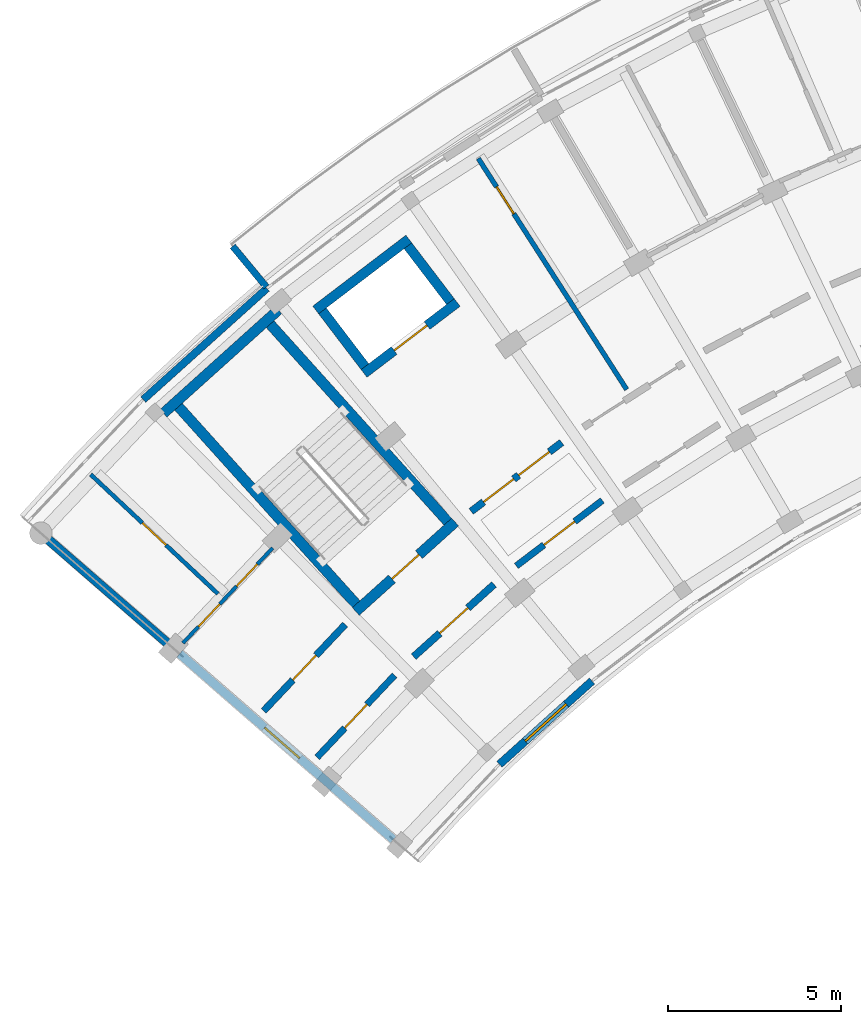
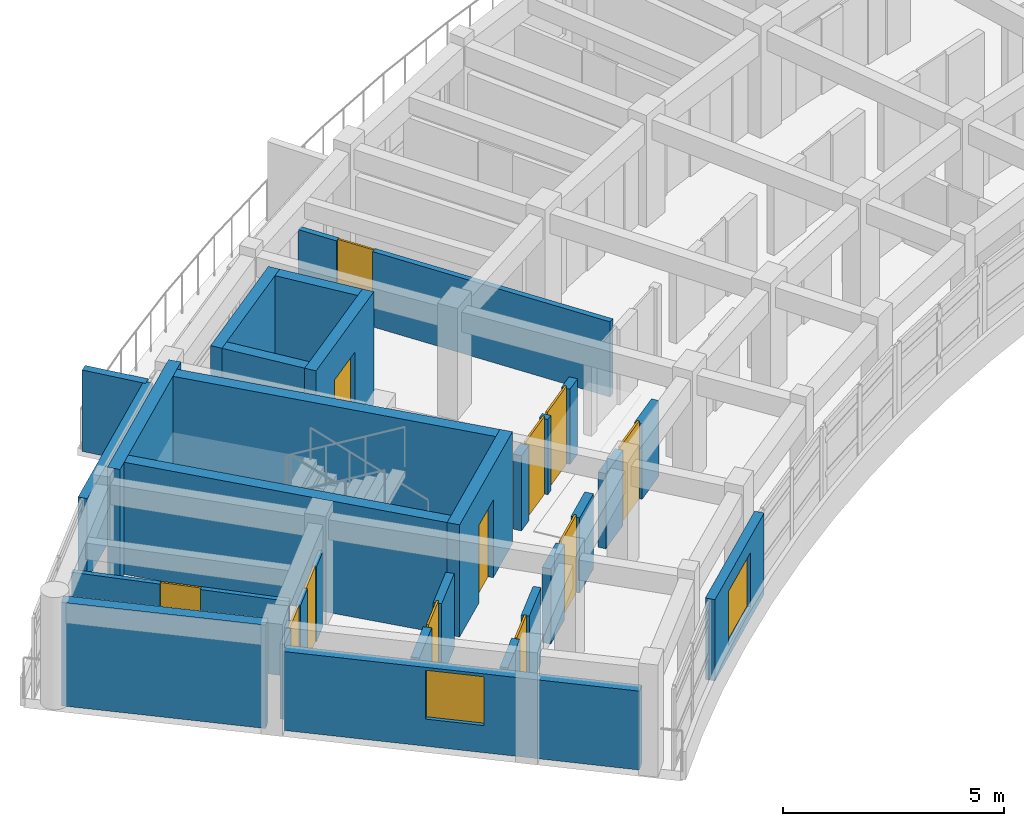
# One storey, part 24 of 40: 21 walls, 12 doors, 2 windows, 14 openings.
"""IFC4 building model written with IfcOpenShell, lengths in metres."""

from ifc_helpers import new_model, si_unit, direction, frame, frame_2d, origin, place, context, subcontext, project, spatial, rectangle, extrude, material, layer, layer_set, type_object, element, fill, save


model = new_model("IFC4")

# Units and contexts
model_context = context("Model", 3, precision=1e-05, world=origin(), true_north=direction((0.0, 1.0)))
body_context = subcontext(model_context, "Body", "Model", "MODEL_VIEW")
ifc_project = project(units=[si_unit("LENGTHUNIT", "METRE"), si_unit("AREAUNIT", "SQUARE_METRE"), si_unit("VOLUMEUNIT", "CUBIC_METRE"), si_unit("PLANEANGLEUNIT", "RADIAN"), si_unit("MASSUNIT", "GRAM", prefix="KILO")], contexts=[model_context])

# Site, building, storey
site_placement = place(None, origin())
site = spatial("IfcSite", under=ifc_project, at=site_placement, CompositionType="ELEMENT")
building_placement = place(site_placement, origin())
building = spatial("IfcBuilding", under=site, at=building_placement, Name="Zimvara Arc Housing Community", CompositionType="ELEMENT")
storey_placement = place(building_placement, frame((0.0, 0.0, 32.89990234375)))
storey = spatial("IfcBuildingStorey", under=building, at=storey_placement, Name="L10", CompositionType="ELEMENT", Elevation=32.89990234375)

# Wall, opening, window
ifc_material_1 = material(Name="Board-Marked Fair-Faced Concrete C35/45", Category="concrete")
ifc_layer_1 = layer(ifc_material_1, 0.22998046875)
ifc_layer_set_1 = layer_set([ifc_layer_1], Name="Board-Marked Fair-Faced Concrete C35/45")
wall_type_1 = type_object("IfcWallType", Name="EWL-CONC-230", PredefinedType="SOLIDWALL", material=ifc_layer_set_1)
wall_1_placement = place(storey_placement, frame((13.84033203125, 76.436767578125, 0.0), z_axis=(0.0, 0.0, 1.0), x_axis=(0.743385092197, 0.668863666751, 0.0)))
wall_1 = element("IfcWall", 1, at=wall_1_placement, inside=storey, type_object=wall_type_1, Name="ewall:blkA:L10:in:b1", PredefinedType="SOLIDWALL", context=body_context, shape_type="SweptSolid", body=[
    extrude(rectangle(XDim=3.603759765625, YDim=0.22998046875, at=frame_2d((1.8017578125, 0.0))), origin(), (0.0, 0.0, 1.0), 2.25),
])
opening_1_placement = place(wall_1_placement, frame((1.001708984375, 0.0, 0.320068359375)))
opening_1 = element("IfcOpeningElement", 2, at=opening_1_placement, cuts=wall_1, Name="Opening W03", PredefinedType="OPENING", context=body_context, shape_type="SweptSolid", body=[
    extrude(rectangle(XDim=1.60009765625, YDim=1.5, at=frame_2d((0.800048828125, 0.75))), frame((0.0, 0.125, 0.0), z_axis=(0.0, -1.0, 0.0), x_axis=(1.0, 0.0, 0.0)), (0.0, 0.0, 1.0), 0.25),
])
ifc_material_2 = material(Name="Solar Control Low-E Double Glazing", Category="glass")
window_type_1 = type_object("IfcWindowType", Name="WIN-RES-1600x1500", PartitioningType="DOUBLE_PANEL_VERTICAL", PredefinedType="WINDOW", material=ifc_material_2)
window_1_placement = place(opening_1_placement, origin())
window_1 = element("IfcWindow", 3, at=window_1_placement, inside=storey, type_object=window_type_1, Name="win:blkA:L10:in:b1", OverallHeight=1.5, OverallWidth=1.60009765625, PartitioningType="DOUBLE_PANEL_VERTICAL", PredefinedType="WINDOW", context=body_context, shape_type="SweptSolid", body=[
    extrude(rectangle(XDim=1.60009765625, YDim=1.5, at=frame_2d((0.800048828125, 0.75))), frame((0.0, 0.030029296875, 0.0), z_axis=(0.0, -1.0, 0.0), x_axis=(1.0, 0.0, 0.0)), (0.0, 0.0, 1.0), 0.06005859375),
])
fill(opening_1, window_1)

ifc_material_3 = material(Name="Board-Marked Fair-Faced Concrete C35/45", Category="concrete")
ifc_layer_2 = layer(ifc_material_3, 0.2548828125)
ifc_layer_set_2 = layer_set([ifc_layer_2], Name="Board-Marked Fair-Faced Concrete C35/45")
wall_type_2 = type_object("IfcWallType", Name="EWL-CONC-255", PredefinedType="SOLIDWALL", material=ifc_layer_set_2)
wall_2_placement = place(storey_placement, frame((10.766357421875, 74.2587890625, 0.0), z_axis=(0.0, 0.0, 1.0), x_axis=(-0.754717680958, 0.656049710044, 0.0)))
wall_2 = element("IfcWall", 4, at=wall_2_placement, inside=storey, type_object=wall_type_2, Name="ewall:blkA:L10:g0", PredefinedType="SOLIDWALL", context=body_context, shape_type="SweptSolid", body=[
    extrude(rectangle(XDim=8.199951171875, YDim=0.2548828125, at=frame_2d((4.10009765625, 0.0))), origin(), (0.0, 0.0, 1.0), 2.18017578125),
])
opening_2_placement = place(wall_2_placement, frame((3.590087890625, 0.0, 0.75)))
opening_2 = element("IfcOpeningElement", 5, at=opening_2_placement, cuts=wall_2, Name="Opening W12", PredefinedType="OPENING", context=body_context, shape_type="SweptSolid", body=[
    extrude(rectangle(XDim=1.35009765625, YDim=1.35009765625, at=frame_2d((0.675048828125, 0.675048828125))), frame((0.0, 0.137451171875, 0.0), z_axis=(0.0, -1.0, 0.0), x_axis=(1.0, 0.0, 0.0)), (0.0, 0.0, 1.0), 0.27490234375),
])
ifc_material_4 = material(Name="Solar Control Low-E Double Glazing", Category="glass")
window_type_2 = type_object("IfcWindowType", Name="WIN-RES-1350x1350", PartitioningType="DOUBLE_PANEL_VERTICAL", PredefinedType="WINDOW", material=ifc_material_4)
window_2_placement = place(opening_2_placement, origin())
window_2 = element("IfcWindow", 6, at=window_2_placement, inside=storey, type_object=window_type_2, Name="win:blkA:L10:g0:w", OverallHeight=1.35009765625, OverallWidth=1.35009765625, PartitioningType="DOUBLE_PANEL_VERTICAL", PredefinedType="WINDOW", context=body_context, shape_type="SweptSolid", body=[
    extrude(rectangle(XDim=1.35009765625, YDim=1.35009765625, at=frame_2d((0.675048828125, 0.675048828125))), frame((0.0, 0.030029296875, 0.0), z_axis=(0.0, -1.0, 0.0), x_axis=(1.0, 0.0, 0.0)), (0.0, 0.0, 1.0), 0.06005859375),
])
fill(opening_2, window_2)

# Walls
ifc_material_5 = material(Name="Board-Marked Fair-Faced Concrete C35/45", Category="concrete")
ifc_layer_3 = layer(ifc_material_5, 0.195068359375)
ifc_layer_set_3 = layer_set([ifc_layer_3], Name="Board-Marked Fair-Faced Concrete C35/45")
wall_type_3 = type_object("IfcWallType", Name="EWL-PARA-195", PredefinedType="PARAPET", material=ifc_layer_set_3)
wall_3_placement = place(storey_placement, frame((7.09228515625, 90.25732421875, 0.0), z_axis=(0.0, 0.0, 1.0), x_axis=(-0.637952984874, 0.770075313908, 0.0)))
element("IfcWall", 7, at=wall_3_placement, inside=storey, type_object=wall_type_3, Name="finwall:blkA:L10:out:b2", PredefinedType="PARAPET", context=body_context, shape_type="SweptSolid", body=[
    extrude(rectangle(XDim=1.530029296875, YDim=0.195068359375, at=frame_2d((0.76513671875, 0.0))), origin(), (0.0, 0.0, 1.0), 2.25),
])
ifc_material_6 = material(Name="Board-Marked Fair-Faced Concrete C35/45", Category="concrete")
ifc_layer_4 = layer(ifc_material_6, 0.218017578125)
ifc_layer_set_4 = layer_set([ifc_layer_4], Name="Board-Marked Fair-Faced Concrete C35/45")
wall_type_4 = type_object("IfcWallType", Name="EWL-VAR-12", PredefinedType="SOLIDWALL", material=ifc_layer_set_4)
wall_4_placement = place(storey_placement, frame((3.528076171875, 86.996826171875, 0.0), z_axis=(0.0, 0.0, 1.0), x_axis=(0.743387539862, 0.668860946369, 0.0)))
element("IfcWall", 8, at=wall_4_placement, inside=storey, type_object=wall_type_4, Name="ewall:blkA:L10:out:b1", PredefinedType="SOLIDWALL", context=body_context, shape_type="SweptSolid", body=[
    extrude(rectangle(XDim=4.80908203125, YDim=0.218017578125, at=frame_2d((2.404541015625, 0.0))), origin(), (0.0, 0.0, 1.0), 2.25),
])

# Wall, opening, door
ifc_material_7 = material(Name="Concrete C35/45", Category="concrete")
ifc_layer_5 = layer(ifc_material_7, 0.2099609375)
ifc_layer_set_5 = layer_set([ifc_layer_5], Name="Concrete C35/45")
wall_type_5 = type_object("IfcWallType", Name="IWL-CCF-210", PredefinedType="SOLIDWALL", material=ifc_layer_set_5)
wall_5_placement = place(storey_placement, frame((11.357177734375, 79.5517578125, 0.0), z_axis=(0.0, 0.0, 1.0), x_axis=(0.743387266925, 0.668861249718, 0.0)))
wall_5 = element("IfcWall", 9, at=wall_5_placement, inside=storey, type_object=wall_type_5, Name="iwall:blkA:L10:ccf_div:b1", PredefinedType="SOLIDWALL", context=body_context, shape_type="SweptSolid", body=[
    extrude(rectangle(XDim=3.12841796875, YDim=0.2099609375, at=frame_2d((1.564208984375, 0.0))), origin(), (0.0, 0.0, 1.0), 2.080078125),
])
opening_3_placement = place(wall_5_placement, frame((1.014404296875, 0.0, 0.0)))
opening_3 = element("IfcOpeningElement", 10, at=opening_3_placement, cuts=wall_5, Name="Opening FD-CCF1", PredefinedType="OPENING", context=body_context, shape_type="SweptSolid", body=[
    extrude(rectangle(XDim=1.10009765625, YDim=2.14990234375, at=frame_2d((0.550048828125, 1.074951171875))), frame((0.0, 0.114990234375, 0.0), z_axis=(0.0, -1.0, 0.0), x_axis=(1.0, 0.0, 0.0)), (0.0, 0.0, 1.0), 0.22998046875),
])
ifc_material_8 = material(Name="Anodised Aluminium AW-6063", Category="aluminium")
door_type_1 = type_object("IfcDoorType", Name="IDR-CCF-1100x2150", OperationType="NOTDEFINED", PredefinedType="DOOR", material=ifc_material_8)
door_1_placement = place(opening_3_placement, origin())
door_1 = element("IfcDoor", 11, at=door_1_placement, inside=storey, type_object=door_type_1, Name="idoor:blkA:L10:ccf_in:b1", OperationType="SINGLE_SWING_LEFT", OverallHeight=2.14990234375, OverallWidth=1.10009765625, PredefinedType="DOOR", context=body_context, shape_type="SweptSolid", body=[
    extrude(rectangle(XDim=1.10009765625, YDim=2.14990234375, at=frame_2d((0.550048828125, 1.074951171875))), frame((0.0, 0.02490234375, 0.0), z_axis=(0.0, -1.0, 0.0), x_axis=(1.0, 0.0, 0.0)), (0.0, 0.0, 1.0), 0.050048828125),
])
fill(opening_3, door_1)

# Wall, openings, doors
wall_6_placement = place(storey_placement, frame((13.021240234375, 83.758544921875, 0.0), z_axis=(0.0, 0.0, 1.0), x_axis=(0.795498026433, 0.605956178235, 0.0)))
wall_6 = element("IfcWall", 12, at=wall_6_placement, inside=storey, type_object=wall_type_5, Name="iwall:blkA:L10:ll_div:b2", PredefinedType="SOLIDWALL", context=body_context, shape_type="SweptSolid", body=[
    extrude(rectangle(XDim=3.296142578125, YDim=0.2099609375, at=frame_2d((1.64794921875, 0.0))), origin(), (0.0, 0.0, 1.0), 2.080078125),
])
opening_4_placement = place(wall_6_placement, frame((0.449951171875, 0.0, 0.0)))
opening_4 = element("IfcOpeningElement", 13, at=opening_4_placement, cuts=wall_6, Name="Opening FD-CCF1", PredefinedType="OPENING", context=body_context, shape_type="SweptSolid", body=[
    extrude(rectangle(XDim=1.10009765625, YDim=2.14990234375, at=frame_2d((0.550048828125, 1.074951171875))), frame((0.0, 0.114990234375, 0.0), z_axis=(0.0, -1.0, 0.0), x_axis=(1.0, 0.0, 0.0)), (0.0, 0.0, 1.0), 0.22998046875),
])
opening_5_placement = place(wall_6_placement, frame((1.72607421875, 0.0, 0.0)))
opening_5 = element("IfcOpeningElement", 14, at=opening_5_placement, cuts=wall_6, Name="Opening D07", PredefinedType="OPENING", context=body_context, shape_type="SweptSolid", body=[
    extrude(rectangle(XDim=1.1201171875, YDim=2.14990234375, at=frame_2d((0.56005859375, 1.074951171875))), frame((0.0, 0.114990234375, 0.0), z_axis=(0.0, -1.0, 0.0), x_axis=(1.0, 0.0, 0.0)), (0.0, 0.0, 1.0), 0.22998046875),
])
ifc_material_9 = material(Name="Mozambican Hardwood", Category="wood")
door_type_2 = type_object("IfcDoorType", Name="IDR-AMN-1120x2150", OperationType="NOTDEFINED", PredefinedType="DOOR", material=ifc_material_9)
door_2_placement = place(opening_5_placement, origin())
door_2 = element("IfcDoor", 15, at=door_2_placement, inside=storey, type_object=door_type_2, Name="idoor:blkA:L10:rs_in:b2", OperationType="SINGLE_SWING_LEFT", OverallHeight=2.14990234375, OverallWidth=1.1201171875, PredefinedType="DOOR", context=body_context, shape_type="SweptSolid", body=[
    extrude(rectangle(XDim=1.1201171875, YDim=2.14990234375, at=frame_2d((0.56005859375, 1.074951171875))), frame((0.0, 0.02490234375, 0.0), z_axis=(0.0, -1.0, 0.0), x_axis=(1.0, 0.0, 0.0)), (0.0, 0.0, 1.0), 0.050048828125),
])
fill(opening_5, door_2)
door_3_placement = place(opening_4_placement, origin())
door_3 = element("IfcDoor", 16, at=door_3_placement, inside=storey, type_object=door_type_1, Name="idoor:blkA:L10:ll_in:b2", OperationType="SINGLE_SWING_RIGHT", OverallHeight=2.14990234375, OverallWidth=1.10009765625, PredefinedType="DOOR", context=body_context, shape_type="SweptSolid", body=[
    extrude(rectangle(XDim=1.10009765625, YDim=2.14990234375, at=frame_2d((0.550048828125, 1.074951171875))), frame((0.0, 0.02490234375, 0.0), z_axis=(0.0, -1.0, 0.0), x_axis=(1.0, 0.0, 0.0)), (0.0, 0.0, 1.0), 0.050048828125),
])
fill(opening_4, door_3)

# Wall, opening, door
ifc_material_10 = material(Name="Concrete C35/45", Category="concrete")
ifc_layer_6 = layer(ifc_material_10, 0.18994140625)
ifc_layer_set_6 = layer_set([ifc_layer_6], Name="Concrete C35/45")
wall_type_6 = type_object("IfcWallType", Name="IWL-CORR-190", PredefinedType="SOLIDWALL", material=ifc_layer_set_6)
wall_7_placement = place(storey_placement, frame((8.561279296875, 76.638916015625, 0.0), z_axis=(0.0, 0.0, 1.0), x_axis=(0.686307658735, 0.727311348434, 0.0)))
wall_7 = element("IfcWall", 17, at=wall_7_placement, inside=storey, type_object=wall_type_6, Name="iwall:blkA:L10:corr_in:b0", PredefinedType="SOLIDWALL", context=body_context, shape_type="SweptSolid", body=[
    extrude(rectangle(XDim=3.268798828125, YDim=0.18994140625, at=frame_2d((1.63427734375, 0.0))), origin(), (0.0, 0.0, 1.0), 2.080078125),
])
opening_6_placement = place(wall_7_placement, frame((1.164306640625, 0.0, 0.0)))
opening_6 = element("IfcOpeningElement", 18, at=opening_6_placement, cuts=wall_7, Name="Opening D03", PredefinedType="OPENING", context=body_context, shape_type="SweptSolid", body=[
    extrude(rectangle(XDim=0.93994140625, YDim=2.10009765625, at=frame_2d((0.469970703125, 1.050048828125))), frame((0.0, 0.10498046875, 0.0), z_axis=(0.0, -1.0, 0.0), x_axis=(1.0, 0.0, 0.0)), (0.0, 0.0, 1.0), 0.2099609375),
])
ifc_material_11 = material(Name="Mozambican Hardwood", Category="wood")
door_type_3 = type_object("IfcDoorType", Name="IDR-RM-0940x2100", OperationType="NOTDEFINED", PredefinedType="DOOR", material=ifc_material_11)
door_4_placement = place(opening_6_placement, origin())
door_4 = element("IfcDoor", 19, at=door_4_placement, inside=storey, type_object=door_type_3, Name="idoor:blkA:L10:in_rm:b0", OperationType="SINGLE_SWING_LEFT", OverallHeight=2.10009765625, OverallWidth=0.93994140625, PredefinedType="DOOR", context=body_context, shape_type="SweptSolid", body=[
    extrude(rectangle(XDim=0.93994140625, YDim=2.10009765625, at=frame_2d((0.469970703125, 1.050048828125))), frame((0.0, 0.02490234375, 0.0), z_axis=(0.0, -1.0, 0.0), x_axis=(1.0, 0.0, 0.0)), (0.0, 0.0, 1.0), 0.050048828125),
])
fill(opening_6, door_4)

wall_8_placement = place(storey_placement, frame((14.3291015625, 82.179931640625, 0.0), z_axis=(0.0, 0.0, 1.0), x_axis=(0.795501577908, 0.605951515838, 0.0)))
wall_8 = element("IfcWall", 20, at=wall_8_placement, inside=storey, type_object=wall_type_6, Name="iwall:blkA:L10:ra_div:b2", PredefinedType="SOLIDWALL", context=body_context, shape_type="SweptSolid", body=[
    extrude(rectangle(XDim=3.128662109375, YDim=0.18994140625, at=frame_2d((1.564453125, 0.0))), origin(), (0.0, 0.0, 1.0), 2.080078125),
])
opening_7_placement = place(wall_8_placement, frame((1.00439453125, 0.0, 0.0)))
opening_7 = element("IfcOpeningElement", 21, at=opening_7_placement, cuts=wall_8, Name="Opening D07", PredefinedType="OPENING", context=body_context, shape_type="SweptSolid", body=[
    extrude(rectangle(XDim=1.1201171875, YDim=2.14990234375, at=frame_2d((0.56005859375, 1.074951171875))), frame((0.0, 0.10498046875, 0.0), z_axis=(0.0, -1.0, 0.0), x_axis=(1.0, 0.0, 0.0)), (0.0, 0.0, 1.0), 0.2099609375),
])
door_5_placement = place(opening_7_placement, origin())
door_5 = element("IfcDoor", 22, at=door_5_placement, inside=storey, type_object=door_type_2, Name="idoor:blkA:L10:ra_d:b2", OperationType="SINGLE_SWING_RIGHT", OverallHeight=2.14990234375, OverallWidth=1.1201171875, PredefinedType="DOOR", context=body_context, shape_type="SweptSolid", body=[
    extrude(rectangle(XDim=1.1201171875, YDim=2.14990234375, at=frame_2d((0.56005859375, 1.074951171875))), frame((0.0, 0.02490234375, 0.0), z_axis=(0.0, -1.0, 0.0), x_axis=(1.0, 0.0, 0.0)), (0.0, 0.0, 1.0), 0.050048828125),
])
fill(opening_7, door_5)

ifc_material_12 = material(Name="Concrete C35/45", Category="concrete")
ifc_layer_7 = layer(ifc_material_12, 0.199951171875)
ifc_layer_set_7 = layer_set([ifc_layer_7], Name="Concrete C35/45")
wall_type_7 = type_object("IfcWallType", Name="IWL-CORR-200", PredefinedType="SOLIDWALL", material=ifc_layer_set_7)
wall_9_placement = place(storey_placement, frame((7.01416015625, 77.98388671875, 0.0), z_axis=(0.0, 0.0, 1.0), x_axis=(0.686310507227, 0.727308660522, 0.0)))
wall_9 = element("IfcWall", 23, at=wall_9_placement, inside=storey, type_object=wall_type_7, Name="iwall:blkA:L10:corr_out:b0", PredefinedType="SOLIDWALL", context=body_context, shape_type="SweptSolid", body=[
    extrude(rectangle(XDim=3.43603515625, YDim=0.199951171875, at=frame_2d((1.718017578125, 0.0))), origin(), (0.0, 0.0, 1.0), 2.080078125),
])
opening_8_placement = place(wall_9_placement, frame((1.22802734375, 0.0, 0.0)))
opening_8 = element("IfcOpeningElement", 24, at=opening_8_placement, cuts=wall_9, Name="Opening FD-FL1", PredefinedType="OPENING", context=body_context, shape_type="SweptSolid", body=[
    extrude(rectangle(XDim=0.97998046875, YDim=2.14990234375, at=frame_2d((0.489990234375, 1.074951171875))), frame((0.0, 0.10986328125, 0.0), z_axis=(0.0, -1.0, 0.0), x_axis=(1.0, 0.0, 0.0)), (0.0, 0.0, 1.0), 0.219970703125),
])
ifc_material_13 = material(Name="Mozambican Hardwood", Category="wood")
door_type_4 = type_object("IfcDoorType", Name="IDR-FLAT-0980x2150", OperationType="NOTDEFINED", PredefinedType="DOOR", material=ifc_material_13)
door_6_placement = place(opening_8_placement, origin())
door_6 = element("IfcDoor", 25, at=door_6_placement, inside=storey, type_object=door_type_4, Name="idoor:blkA:L10:flat:b0", OperationType="SINGLE_SWING_RIGHT", OverallHeight=2.14990234375, OverallWidth=0.97998046875, PredefinedType="DOOR", context=body_context, shape_type="SweptSolid", body=[
    extrude(rectangle(XDim=0.97998046875, YDim=2.14990234375, at=frame_2d((0.489990234375, 1.074951171875))), frame((0.0, 0.02490234375, 0.0), z_axis=(0.0, -1.0, 0.0), x_axis=(1.0, 0.0, 0.0)), (0.0, 0.0, 1.0), 0.050048828125),
])
fill(opening_8, door_6)

# Wall, openings, doors
ifc_material_14 = material(Name="Painted Acoustic Plasterboard")
ifc_layer_8 = layer(ifc_material_14, 0.10498046875)
ifc_layer_set_8 = layer_set([ifc_layer_8], Name="Painted Acoustic Plasterboard")
wall_type_8 = type_object("IfcWallType", Name="IWL-PART-105", PredefinedType="PARTITIONING", material=ifc_layer_set_8)
wall_10_placement = place(storey_placement, frame((4.677978515625, 79.948486328125, 0.0), z_axis=(0.0, 0.0, 1.0), x_axis=(0.686331812627, 0.72728855551, 0.0)))
wall_10 = element("IfcWall", 26, at=wall_10_placement, inside=storey, type_object=wall_type_8, Name="iwall:blkA:L10:srv:b0", PredefinedType="PARTITIONING", context=body_context, shape_type="SweptSolid", body=[
    extrude(rectangle(XDim=3.78515625, YDim=0.10498046875, at=frame_2d((1.892578125, 0.0))), origin(), (0.0, 0.0, 1.0), 2.080078125),
])
opening_9_placement = place(wall_10_placement, frame((0.64990234375, 0.0, 0.0)))
opening_9 = element("IfcOpeningElement", 27, at=opening_9_placement, cuts=wall_10, Name="Opening D01", PredefinedType="OPENING", context=body_context, shape_type="SweptSolid", body=[
    extrude(rectangle(XDim=0.89990234375, YDim=2.10009765625, at=frame_2d((0.449951171875, 1.050048828125))), frame((0.0, 0.0625, 0.0), z_axis=(0.0, -1.0, 0.0), x_axis=(1.0, 0.0, 0.0)), (0.0, 0.0, 1.0), 0.125),
])
opening_10_placement = place(wall_10_placement, frame((2.255126953125, 0.0, 0.0)))
opening_10 = element("IfcOpeningElement", 28, at=opening_10_placement, cuts=wall_10, Name="Opening D05", PredefinedType="OPENING", context=body_context, shape_type="SweptSolid", body=[
    extrude(rectangle(XDim=0.8798828125, YDim=2.10009765625, at=frame_2d((0.43994140625, 1.050048828125))), frame((0.0, 0.0625, 0.0), z_axis=(0.0, -1.0, 0.0), x_axis=(1.0, 0.0, 0.0)), (0.0, 0.0, 1.0), 0.125),
])
ifc_material_15 = material(Name="Mozambican Hardwood", Category="wood")
door_type_5 = type_object("IfcDoorType", Name="IDR-RM-0900x2100", OperationType="NOTDEFINED", PredefinedType="DOOR", material=ifc_material_15)
door_7_placement = place(opening_9_placement, origin())
door_7 = element("IfcDoor", 29, at=door_7_placement, inside=storey, type_object=door_type_5, Name="idoor:blkA:L10:kit_liv:b0", OperationType="SINGLE_SWING_RIGHT", OverallHeight=2.10009765625, OverallWidth=0.89990234375, PredefinedType="DOOR", context=body_context, shape_type="SweptSolid", body=[
    extrude(rectangle(XDim=0.89990234375, YDim=2.10009765625, at=frame_2d((0.449951171875, 1.050048828125))), frame((0.0, 0.02490234375, 0.0), z_axis=(0.0, -1.0, 0.0), x_axis=(1.0, 0.0, 0.0)), (0.0, 0.0, 1.0), 0.050048828125),
])
fill(opening_9, door_7)
ifc_material_16 = material(Name="Mozambican Hardwood", Category="wood")
door_type_6 = type_object("IfcDoorType", Name="IDR-WC-0880x2100", OperationType="NOTDEFINED", PredefinedType="DOOR", material=ifc_material_16)
door_8_placement = place(opening_10_placement, origin())
door_8 = element("IfcDoor", 30, at=door_8_placement, inside=storey, type_object=door_type_6, Name="idoor:blkA:L10:bath_d:b0", OperationType="SINGLE_SWING_LEFT", OverallHeight=2.10009765625, OverallWidth=0.8798828125, PredefinedType="DOOR", context=body_context, shape_type="SweptSolid", body=[
    extrude(rectangle(XDim=0.8798828125, YDim=2.10009765625, at=frame_2d((0.43994140625, 1.050048828125))), frame((0.0, 0.02490234375, 0.0), z_axis=(0.0, -1.0, 0.0), x_axis=(1.0, 0.0, 0.0)), (0.0, 0.0, 1.0), 0.050048828125),
])
fill(opening_10, door_8)

# Wall, opening, door
ifc_material_17 = material(Name="Painted Acoustic Plasterboard")
ifc_layer_9 = layer(ifc_material_17, 0.1201171875)
ifc_layer_set_9 = layer_set([ifc_layer_9], Name="Painted Acoustic Plasterboard")
wall_type_9 = type_object("IfcWallType", Name="IWL-PART-120", PredefinedType="PARTITIONING", material=ifc_layer_set_9)
wall_11_placement = place(storey_placement, frame((5.6875, 81.37451171875, 0.0), z_axis=(0.0, 0.0, 1.0), x_axis=(-0.72936983679, 0.684119610288, 0.0)))
wall_11 = element("IfcWall", 31, at=wall_11_placement, inside=storey, type_object=wall_type_9, Name="iwall:blkA:L10:bed_div:b0", PredefinedType="PARTITIONING", context=body_context, shape_type="SweptSolid", body=[
    extrude(rectangle(XDim=5.050048828125, YDim=0.1201171875, at=frame_2d((2.52490234375, 0.0))), origin(), (0.0, 0.0, 1.0), 2.080078125),
])
opening_11_placement = place(wall_11_placement, frame((2.054931640625, 0.0, 0.0)))
opening_11 = element("IfcOpeningElement", 32, at=opening_11_placement, cuts=wall_11, Name="Opening D03", PredefinedType="OPENING", context=body_context, shape_type="SweptSolid", body=[
    extrude(rectangle(XDim=0.93994140625, YDim=2.10009765625, at=frame_2d((0.469970703125, 1.050048828125))), frame((0.0, 0.070068359375, 0.0), z_axis=(0.0, -1.0, 0.0), x_axis=(1.0, 0.0, 0.0)), (0.0, 0.0, 1.0), 0.14013671875),
])
door_9_placement = place(opening_11_placement, origin())
door_9 = element("IfcDoor", 33, at=door_9_placement, inside=storey, type_object=door_type_3, Name="idoor:blkA:L10:bed_d:b0", OperationType="SINGLE_SWING_RIGHT", OverallHeight=2.10009765625, OverallWidth=0.93994140625, PredefinedType="DOOR", context=body_context, shape_type="SweptSolid", body=[
    extrude(rectangle(XDim=0.93994140625, YDim=2.10009765625, at=frame_2d((0.469970703125, 1.050048828125))), frame((0.0, 0.02490234375, 0.0), z_axis=(0.0, -1.0, 0.0), x_axis=(1.0, 0.0, 0.0)), (0.0, 0.0, 1.0), 0.050048828125),
])
fill(opening_11, door_9)

ifc_material_18 = material(Name="Painted Acoustic Plasterboard")
ifc_layer_10 = layer(ifc_material_18, 0.139892578125)
ifc_layer_set_10 = layer_set([ifc_layer_10], Name="Painted Acoustic Plasterboard")
wall_type_10 = type_object("IfcWallType", Name="IWL-PART-140", PredefinedType="PARTITIONING", material=ifc_layer_set_10)
wall_12_placement = place(storey_placement, frame((17.52392578125, 87.287841796875, 0.0), z_axis=(0.0, 0.0, 1.0), x_axis=(-0.540338452216, 0.841447774408, 0.0)))
wall_12 = element("IfcWall", 34, at=wall_12_placement, inside=storey, type_object=wall_type_10, Name="iwall:blkA:L10:amen_div:b3", PredefinedType="PARTITIONING", context=body_context, shape_type="SweptSolid", body=[
    extrude(rectangle(XDim=7.949951171875, YDim=0.139892578125, at=frame_2d((3.97509765625, 0.0))), origin(), (0.0, 0.0, 1.0), 2.080078125),
])
opening_12_placement = place(wall_12_placement, frame((6.050048828125, 0.0, 0.0)))
opening_12 = element("IfcOpeningElement", 35, at=opening_12_placement, cuts=wall_12, Name="Opening D02", PredefinedType="OPENING", context=body_context, shape_type="SweptSolid", body=[
    extrude(rectangle(XDim=0.919921875, YDim=2.10009765625, at=frame_2d((0.4599609375, 1.050048828125))), frame((0.0, 0.079833984375, 0.0), z_axis=(0.0, -1.0, 0.0), x_axis=(1.0, 0.0, 0.0)), (0.0, 0.0, 1.0), 0.159912109375),
])
ifc_material_19 = material(Name="Mozambican Hardwood", Category="wood")
door_type_7 = type_object("IfcDoorType", Name="IDR-RM-0920x2100", OperationType="NOTDEFINED", PredefinedType="DOOR", material=ifc_material_19)
door_10_placement = place(opening_12_placement, origin())
door_10 = element("IfcDoor", 36, at=door_10_placement, inside=storey, type_object=door_type_7, Name="idoor:blkA:L10:laund_d:b3", OperationType="SINGLE_SWING_RIGHT", OverallHeight=2.10009765625, OverallWidth=0.919921875, PredefinedType="DOOR", context=body_context, shape_type="SweptSolid", body=[
    extrude(rectangle(XDim=0.919921875, YDim=2.10009765625, at=frame_2d((0.4599609375, 1.050048828125))), frame((0.0, 0.02490234375, 0.0), z_axis=(0.0, -1.0, 0.0), x_axis=(1.0, 0.0, 0.0)), (0.0, 0.0, 1.0), 0.050048828125),
])
fill(opening_12, door_10)

ifc_material_20 = material(Name="Concrete C40/50", Category="concrete")
ifc_layer_11 = layer(ifc_material_20, 0.280029296875)
ifc_layer_set_11 = layer_set([ifc_layer_11], Name="Concrete C40/50")
wall_type_11 = type_object("IfcWallType", Name="WL-CORE-280", PredefinedType="SHEAR", material=ifc_layer_set_11)
wall_13_placement = place(storey_placement, frame((12.615966796875, 89.80712890625, 0.0), z_axis=(0.0, 0.0, 1.0), x_axis=(-0.795474703455, -0.605986795371, 0.0)))
wall_13 = element("IfcWall", 37, at=wall_13_placement, inside=storey, type_object=wall_type_11, Name="lwall:LF-A1:L10:front", PredefinedType="SHEAR", context=body_context, shape_type="SweptSolid", body=[
    extrude(rectangle(XDim=3.389892578125, YDim=0.280029296875, at=frame_2d((1.69482421875, 0.0))), origin(), (0.0, 0.0, 1.0), 3.10009765625),
])
opening_13_placement = place(wall_13_placement, frame((1.094970703125, 0.0, 0.0)))
opening_13 = element("IfcOpeningElement", 38, at=opening_13_placement, cuts=wall_13, Name="Opening LD-LF-A1", PredefinedType="OPENING", context=body_context, shape_type="SweptSolid", body=[
    extrude(rectangle(XDim=1.199951171875, YDim=2.14990234375, at=frame_2d((0.60009765625, 1.074951171875))), frame((0.0, 0.14990234375, 0.0), z_axis=(0.0, -1.0, 0.0), x_axis=(1.0, 0.0, 0.0)), (0.0, 0.0, 1.0), 0.300048828125),
])
ifc_material_21 = material(Name="Anodised Aluminium AW-6063", Category="aluminium")
door_type_8 = type_object("IfcDoorType", Name="IDR-LD-1200x2150", OperationType="DOUBLE_DOOR_SLIDING", PredefinedType="DOOR", material=ifc_material_21)
door_11_placement = place(opening_13_placement, origin())
door_11 = element("IfcDoor", 39, at=door_11_placement, inside=storey, type_object=door_type_8, Name="Lift LF-A1 Sliding Landing Door L10", OperationType="DOUBLE_DOOR_SLIDING", OverallHeight=2.14990234375, OverallWidth=1.199951171875, PredefinedType="DOOR", context=body_context, shape_type="SweptSolid", body=[
    extrude(rectangle(XDim=1.199951171875, YDim=2.14990234375, at=frame_2d((0.60009765625, 1.074951171875))), frame((0.0, 0.02490234375, 0.0), z_axis=(0.0, -1.0, 0.0), x_axis=(1.0, 0.0, 0.0)), (0.0, 0.0, 1.0), 0.050048828125),
])
fill(opening_13, door_11)

# Walls
wall_14_placement = place(storey_placement, frame((11.216064453125, 91.644775390625, 0.0), z_axis=(0.0, 0.0, 1.0), x_axis=(-0.795439986025, -0.606032365994, 0.0)))
element("IfcWall", 40, at=wall_14_placement, inside=storey, type_object=wall_type_11, Name="lwall:LF-A1:L10:back", PredefinedType="SHEAR", context=body_context, shape_type="SweptSolid", body=[
    extrude(rectangle(XDim=3.389892578125, YDim=0.280029296875, at=frame_2d((1.69482421875, 0.0))), origin(), (0.0, 0.0, 1.0), 3.10009765625),
])
wall_15_placement = place(storey_placement, frame((12.419677734375, 89.833740234375, 0.0), z_axis=(0.0, 0.0, 1.0), x_axis=(-0.605948992168, 0.795503500238, 0.0)))
element("IfcWall", 41, at=wall_15_placement, inside=storey, type_object=wall_type_11, Name="lwall:LF-A1:L10:left", PredefinedType="SHEAR", context=body_context, shape_type="SweptSolid", body=[
    extrude(rectangle(XDim=2.02978515625, YDim=0.280029296875, at=frame_2d((1.014892578125, 0.0))), origin(), (0.0, 0.0, 1.0), 3.10009765625),
])
wall_16_placement = place(storey_placement, frame((9.94580078125, 87.948974609375, 0.0), z_axis=(0.0, 0.0, 1.0), x_axis=(-0.605891019062, 0.795547656033, 0.0)))
element("IfcWall", 42, at=wall_16_placement, inside=storey, type_object=wall_type_11, Name="lwall:LF-A1:L10:right", PredefinedType="SHEAR", context=body_context, shape_type="SweptSolid", body=[
    extrude(rectangle(XDim=2.030029296875, YDim=0.280029296875, at=frame_2d((1.01513671875, 0.0))), origin(), (0.0, 0.0, 1.0), 3.10009765625),
])

# Wall, opening, door
ifc_material_22 = material(Name="Concrete C40/50", Category="concrete")
ifc_layer_12 = layer(ifc_material_22, 0.300048828125)
ifc_layer_set_12 = layer_set([ifc_layer_12], Name="Concrete C40/50")
wall_type_12 = type_object("IfcWallType", Name="WL-CORE-300", PredefinedType="SHEAR", material=ifc_layer_set_12)
wall_17_placement = place(storey_placement, frame((12.556884765625, 83.4501953125, 0.0), z_axis=(0.0, 0.0, 1.0), x_axis=(-0.743375696158, -0.668874109501, 0.0)))
wall_17 = element("IfcWall", 43, at=wall_17_placement, inside=storey, type_object=wall_type_12, Name="cwall:ST-A1:L10:near", PredefinedType="SHEAR", context=body_context, shape_type="SweptSolid", body=[
    extrude(rectangle(XDim=3.8701171875, YDim=0.300048828125, at=frame_2d((1.93505859375, 0.0))), origin(), (0.0, 0.0, 1.0), 3.10009765625),
])
opening_14_placement = place(wall_17_placement, frame((1.409912109375, 0.0, 0.0)))
opening_14 = element("IfcOpeningElement", 44, at=opening_14_placement, cuts=wall_17, Name="Opening FD-ST2", PredefinedType="OPENING", context=body_context, shape_type="SweptSolid", body=[
    extrude(rectangle(XDim=1.050048828125, YDim=2.14990234375, at=frame_2d((0.52490234375, 1.074951171875))), frame((0.0, 0.159912109375, 0.0), z_axis=(0.0, -1.0, 0.0), x_axis=(1.0, 0.0, 0.0)), (0.0, 0.0, 1.0), 0.320068359375),
])
ifc_material_23 = material(Name="Anodised Aluminium AW-6063", Category="aluminium")
door_type_9 = type_object("IfcDoorType", Name="IDR-ST-1050x2150", OperationType="NOTDEFINED", PredefinedType="DOOR", material=ifc_material_23)
door_12_placement = place(opening_14_placement, origin())
door_12 = element("IfcDoor", 45, at=door_12_placement, inside=storey, type_object=door_type_9, Name="idoor:ST-A1:L10:entry", OperationType="SINGLE_SWING_RIGHT", OverallHeight=2.14990234375, OverallWidth=1.050048828125, PredefinedType="DOOR", context=body_context, shape_type="SweptSolid", body=[
    extrude(rectangle(XDim=1.050048828125, YDim=2.14990234375, at=frame_2d((0.52490234375, 1.074951171875))), frame((0.0, 0.02490234375, 0.0), z_axis=(0.0, -1.0, 0.0), x_axis=(1.0, 0.0, 0.0)), (0.0, 0.0, 1.0), 0.050048828125),
])
fill(opening_14, door_12)

# Walls
wall_18_placement = place(storey_placement, frame((7.435546875, 89.59033203125, 0.0), z_axis=(0.0, 0.0, 1.0), x_axis=(-0.743400052815, -0.668847038922, 0.0)))
element("IfcWall", 46, at=wall_18_placement, inside=storey, type_object=wall_type_12, Name="cwall:ST-A1:L10:far", PredefinedType="SHEAR", context=body_context, shape_type="SweptSolid", body=[
    extrude(rectangle(XDim=4.469970703125, YDim=0.300048828125, at=frame_2d((2.23486328125, 0.0))), origin(), (0.0, 0.0, 1.0), 3.10009765625),
])
wall_19_placement = place(storey_placement, frame((12.344970703125, 83.461181640625, 0.0), z_axis=(0.0, 0.0, 1.0), x_axis=(-0.668868253964, 0.743380964808, 0.0)))
element("IfcWall", 47, at=wall_19_placement, inside=storey, type_object=wall_type_12, Name="cwall:ST-A1:L10:left", PredefinedType="SHEAR", context=body_context, shape_type="SweptSolid", body=[
    extrude(rectangle(XDim=7.68994140625, YDim=0.300048828125, at=frame_2d((3.844970703125, 0.0))), origin(), (0.0, 0.0, 1.0), 3.10009765625),
])
wall_20_placement = place(storey_placement, frame((9.691162109375, 81.073486328125, 0.0), z_axis=(0.0, 0.0, 1.0), x_axis=(-0.668885797871, 0.743365179038, 0.0)))
element("IfcWall", 48, at=wall_20_placement, inside=storey, type_object=wall_type_12, Name="cwall:ST-A1:L10:right", PredefinedType="SHEAR", context=body_context, shape_type="SweptSolid", body=[
    extrude(rectangle(XDim=7.690185546875, YDim=0.300048828125, at=frame_2d((3.84521484375, 0.0))), origin(), (0.0, 0.0, 1.0), 3.10009765625),
])
ifc_material_24 = material(Name="Concrete C40/50", Category="concrete")
ifc_layer_13 = layer(ifc_material_24, 0.27001953125)
ifc_layer_set_13 = layer_set([ifc_layer_13], Name="Concrete C40/50")
wall_type_13 = type_object("IfcWallType", Name="WL-SHEAR-270", PredefinedType="SHEAR", material=ifc_layer_set_13)
wall_21_placement = place(storey_placement, frame((4.2607421875, 79.9140625, 0.0), z_axis=(0.0, 0.0, 1.0), x_axis=(-0.754703505217, 0.65606601742, 0.0)))
element("IfcWall", 49, at=wall_21_placement, inside=storey, type_object=wall_type_13, Name="swall:blkA:L10:west", PredefinedType="SHEAR", context=body_context, shape_type="SweptSolid", body=[
    extrude(rectangle(XDim=4.719970703125, YDim=0.27001953125, at=frame_2d((2.35986328125, 0.0))), origin(), (0.0, 0.0, 1.0), 2.860107421875),
])

save(model, "model.ifc")
